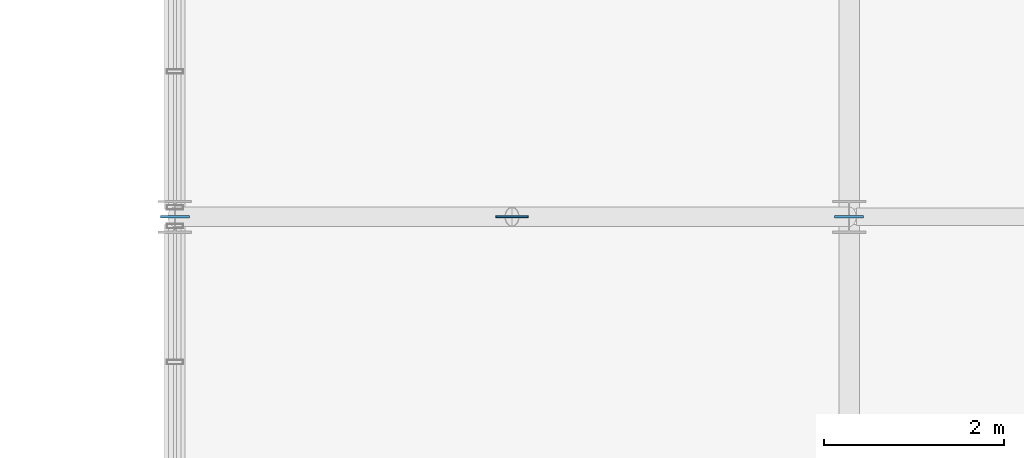
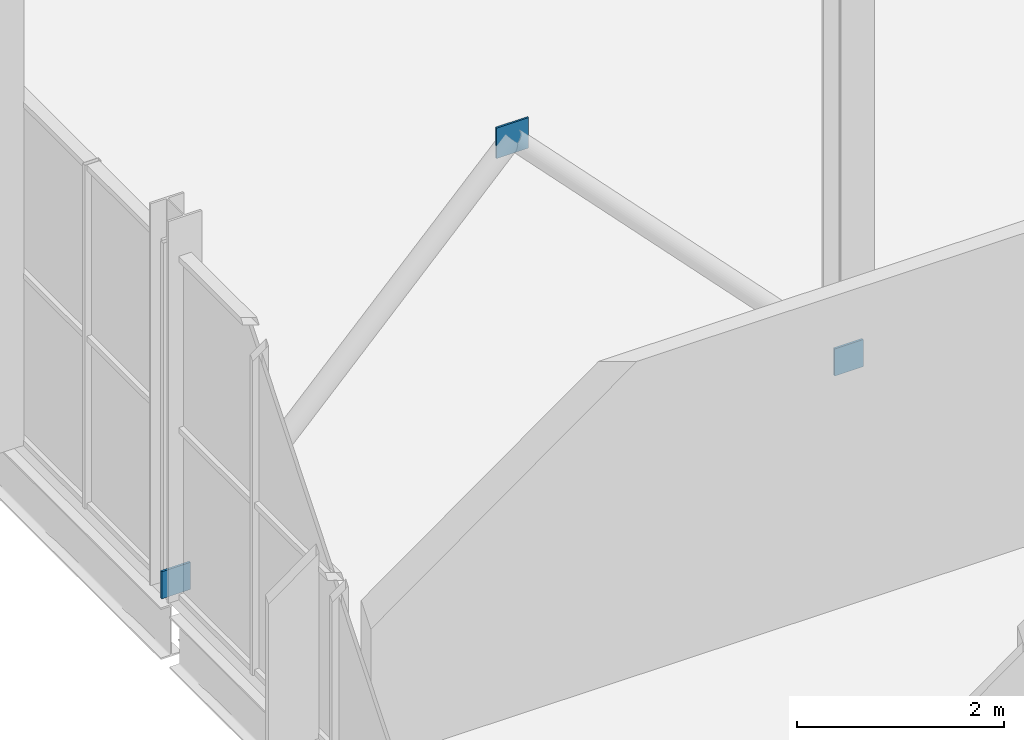
# One storey, part 290 of 324: 3 plates.
"""IFC4 building model written with IfcOpenShell, lengths in metres."""

from ifc_helpers import new_model, si_unit, direction, frame, origin, origin_2d, place, context, subcontext, project, spatial, rectangle, extrude, material, layer, layer_set, type_object, element, save


model = new_model("IFC4")

# Units and contexts
model_context = context("Model", 3, precision=1e-05, world=origin(), true_north=direction((0.0, 1.0)))
body_context = subcontext(model_context, "Body", "Model", "MODEL_VIEW")
ifc_project = project(units=[si_unit("LENGTHUNIT", "METRE"), si_unit("AREAUNIT", "SQUARE_METRE"), si_unit("VOLUMEUNIT", "CUBIC_METRE"), si_unit("PLANEANGLEUNIT", "RADIAN"), si_unit("MASSUNIT", "GRAM", prefix="KILO")], contexts=[model_context])

# Site, building, storey
site_placement = place(None, origin())
site = spatial("IfcSite", under=ifc_project, at=site_placement, CompositionType="ELEMENT")
building_placement = place(site_placement, origin())
building = spatial("IfcBuilding", under=site, at=building_placement, Name="Solvenia Promenade Tram Depot", CompositionType="ELEMENT")
storey_placement = place(building_placement, frame((0.0, 0.0, 4.5)))
storey = spatial("IfcBuildingStorey", under=building, at=storey_placement, Name="L01", CompositionType="ELEMENT", Elevation=4.5)

# Plates
ifc_material = material(Name="Structural steel ASTM A572 Gr. 50", Category="steel")
ifc_layer_1 = layer(ifc_material, 0.02392578125, Name="Structural steel ASTM A572 Gr. 50", Category="steel")
ifc_layer_set_1 = layer_set([ifc_layer_1], Name="Structural steel ASTM A572 Gr. 50")
plate_type_1 = type_object("IfcPlateType", Name="EndCap-CP1", PredefinedType="SHEET", material=ifc_layer_set_1)
for number, where, z_axis, x_axis, name in (
    (1, (105.0, 52.0, -0.06005859375), (0.0, 0.0, 1.0), (1.0, 0.0, 0.0), "Chevron Left Foot Gusset Plate 08"),
    (2, (112.5, 52.0, -0.06005859375), (0.0, 0.0, 1.0), (1.0, 0.0, 0.0), "Chevron Right Foot Gusset Plate 08"),
):
    element("IfcPlate", number, at=place(storey_placement, frame(where, z_axis=z_axis, x_axis=x_axis)), inside=storey, type_object=plate_type_1, Name=name, PredefinedType="SHEET", context=body_context, shape_type="SweptSolid", body=[
        extrude(rectangle(XDim=0.320068359375, YDim=0.02392578125, at=origin_2d()), origin(), (0.0, 0.0, 1.0), 0.320068359375),
    ])
ifc_layer_2 = layer(ifc_material, 0.02099609375, Name="Structural steel ASTM A572 Gr. 50", Category="steel")
ifc_layer_set_2 = layer_set([ifc_layer_2], Name="Structural steel ASTM A572 Gr. 50")
plate_type_2 = type_object("IfcPlateType", Name="EndCap-CP3", PredefinedType="SHEET", material=ifc_layer_set_2)
plate_placement = place(storey_placement, frame((108.75, 52.0, 3.81982421875), z_axis=(0.0, 0.0, 1.0), x_axis=(1.0, 0.0, 0.0)))
element("IfcPlate", 3, at=plate_placement, inside=storey, type_object=plate_type_2, Name="Chevron Gusset Cap Plate 08", PredefinedType="SHEET", context=body_context, shape_type="SweptSolid", body=[
    extrude(rectangle(XDim=0.360107421875, YDim=0.02001953125, at=origin_2d()), origin(), (0.0, 0.0, 1.0), 0.360107421875),
])

save(model, "model.ifc")
